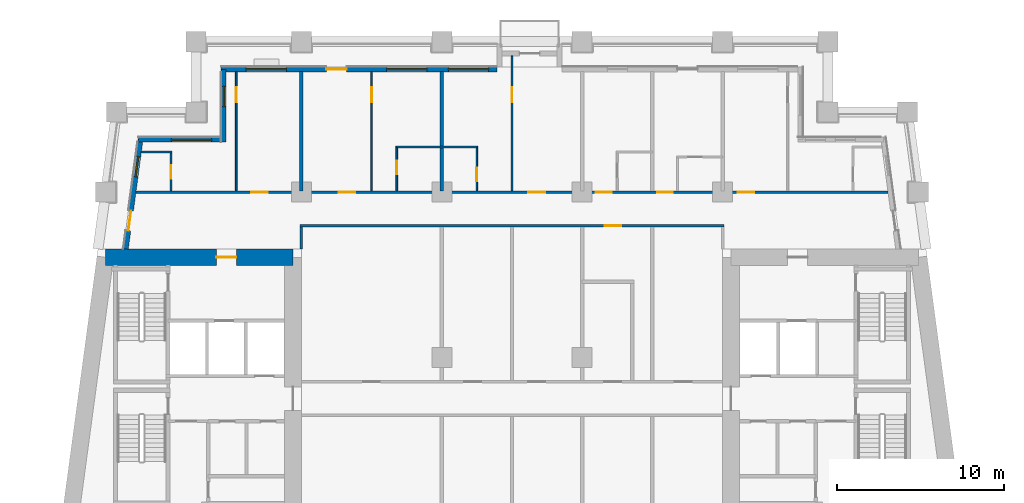
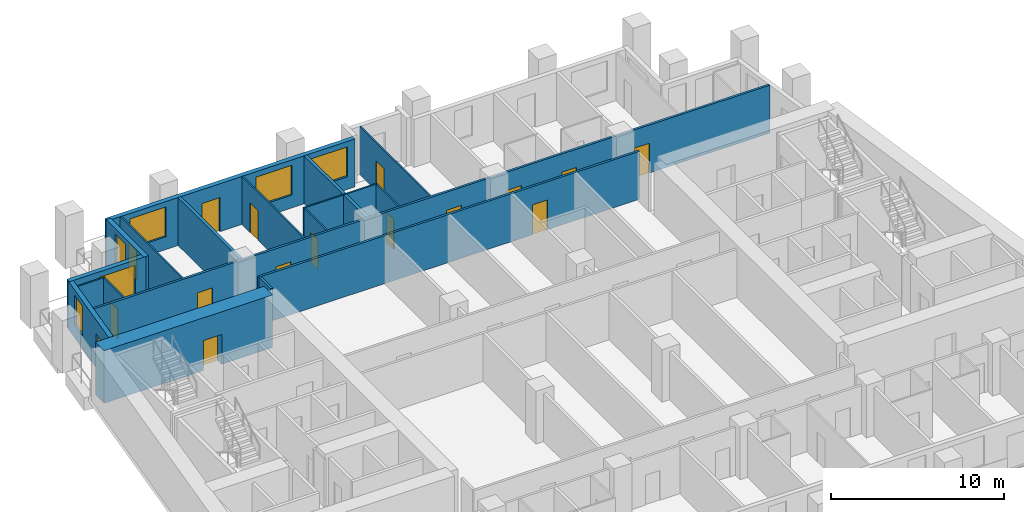
# One storey, part 6 of 13: 18 walls, 16 doors, 6 windows, 22 openings.
"""IFC4 building model written with IfcOpenShell, lengths in metres."""

import ifcopenshell
import ifcopenshell.guid

model = None  # the IFC model being written
_history = None  # IfcOwnerHistory: only IFC2X3 demands one
_inside = {}  # id of a spatial element -> (the spatial element, [elements in it])
_under = {}  # id of a project, library or spatial element -> (it, [spatial elements below it])
_declared = {}  # id of a project -> (the project, [libraries it declares])
_typed = {}  # id of a type object -> (the type object, [elements of that type])
_made_of = {}  # id of a material, layer set ... -> (it, [elements and type objects made of it])


def new_model(schema):
    """Start an empty IFC model of exactly this schema.

    Asked for "IFC4X3", IfcOpenShell would pick the latest addendum, in which some entities
    have other attributes; the version numbers below select the first issue.
    IFC2X3 requires an IfcOwnerHistory on every rooted entity: one is made here for all.
    """
    global model, _history
    if schema == "IFC4X3":
        model = ifcopenshell.file(schema_version=(4, 3, 0, 0))
    else:
        model = ifcopenshell.file(schema=schema)
    _inside.clear()
    _under.clear()
    _declared.clear()
    _typed.clear()
    _made_of.clear()
    _history = None
    if model.schema == "IFC2X3":
        org = make("IfcOrganization", Name="unknown")
        user = make(
            "IfcPersonAndOrganization",
            ThePerson=make("IfcPerson", FamilyName="unknown"),
            TheOrganization=org,
        )
        app = make(
            "IfcApplication",
            ApplicationDeveloper=org,
            Version="unknown",
            ApplicationFullName="unknown",
            ApplicationIdentifier="unknown",
        )
        _history = make(
            "IfcOwnerHistory",
            OwningUser=user,
            OwningApplication=app,
            ChangeAction="ADDED",
            CreationDate=0,
        )
    return model


def make(cls, **values):
    """One entity of the class cls with the attributes given. An attribute that is None is left unset."""
    return model.create_entity(
        cls, **{name: value for name, value in values.items() if value is not None}
    )


def rooted(cls, **values):
    """An entity with a GlobalId (a new one), such as an element, a storey or a relation."""
    return make(cls, GlobalId=ifcopenshell.guid.new(), OwnerHistory=_history, **values)


def si_unit(unit_type, name, prefix=None):
    """IfcSIUnit, for example si_unit("LENGTHUNIT", "METRE", prefix="MILLI")."""
    return make("IfcSIUnit", UnitType=unit_type, Prefix=prefix, Name=name)


def assignment(units):
    """IfcUnitAssignment: the units of a project."""
    return None if units is None else make("IfcUnitAssignment", Units=units)


def point(xyz):
    """IfcCartesianPoint."""
    return None if xyz is None else make("IfcCartesianPoint", Coordinates=xyz)


def direction(xyz):
    """IfcDirection."""
    return None if xyz is None else make("IfcDirection", DirectionRatios=xyz)


def frame(location, z_axis=None, x_axis=None):
    """IfcAxis2Placement3D, a coordinate frame: its origin and axes. An axis left out is left unset."""
    return make(
        "IfcAxis2Placement3D",
        Location=point(location),
        Axis=direction(z_axis),
        RefDirection=direction(x_axis),
    )


def frame_2d(location, x_axis=None):
    """IfcAxis2Placement2D, a coordinate frame in the plane: its origin and x axis."""
    return make(
        "IfcAxis2Placement2D", Location=point(location), RefDirection=direction(x_axis)
    )


def origin():
    """The frame at (0, 0, 0) with its axes left unset."""
    return frame((0.0, 0.0, 0.0))


def place(relative_to, where):
    """IfcLocalPlacement: puts the frame where relative to a parent placement (None: the world)."""
    return make(
        "IfcLocalPlacement", PlacementRelTo=relative_to, RelativePlacement=where
    )


def context(
    kind, dimensions, precision=None, world=None, true_north=None, identifier=None
):
    """IfcGeometricRepresentationContext, for example the 3D "Model" context."""
    return make(
        "IfcGeometricRepresentationContext",
        ContextIdentifier=identifier,
        ContextType=kind,
        CoordinateSpaceDimension=dimensions,
        Precision=precision,
        WorldCoordinateSystem=world,
        TrueNorth=true_north,
    )


def subcontext(parent, identifier, kind, view, scale=None):
    """IfcGeometricRepresentationSubContext, for example "Body" below "Model"."""
    return make(
        "IfcGeometricRepresentationSubContext",
        ContextIdentifier=identifier,
        ContextType=kind,
        ParentContext=parent,
        TargetScale=scale,
        TargetView=view,
    )


def project(units=None, contexts=None):
    """IfcProject with its units and contexts."""
    return rooted(
        "IfcProject",
        Name="project",
        RepresentationContexts=contexts,
        UnitsInContext=assignment(units),
    )


def spatial(cls, under=None, at=None, **own):
    """A site, building, storey or space (cls), placed at a placement, below another one or the project."""
    s = rooted(cls, ObjectPlacement=at, **own)
    if under is not None:
        _under.setdefault(under.id(), (under, []))[1].append(s)
    return s


def profile(cls, at=None, kind="AREA", **sizes):
    """A parametric profile (cls). Its sizes go by their IFC names, for example OverallWidth=200.0."""
    return make(cls, ProfileType=kind, Position=at, **sizes)


def rectangle(**sizes):
    """IfcRectangleProfileDef."""
    return profile("IfcRectangleProfileDef", **sizes)


def extrude(swept, where, along, depth):
    """IfcExtrudedAreaSolid: the profile swept, set in the frame where, extruded along a direction by depth."""
    return make(
        "IfcExtrudedAreaSolid",
        SweptArea=swept,
        Position=where,
        ExtrudedDirection=direction(along),
        Depth=depth,
    )


def shape(context_of_items, identifier, shape_type, items):
    """IfcShapeRepresentation: the items that make up one representation, for example the "Body"."""
    return make(
        "IfcShapeRepresentation",
        ContextOfItems=context_of_items,
        RepresentationIdentifier=identifier,
        RepresentationType=shape_type,
        Items=items,
    )


def material(Name=None, Category=None):
    """IfcMaterial."""
    return make("IfcMaterial", Name=Name, Category=Category)


def layer(
    of_material, thickness, ventilated=None, Name=None, Category=None, Priority=None
):
    """IfcMaterialLayer: one layer of a wall or slab, of a material (None: an air gap)."""
    return make(
        "IfcMaterialLayer",
        Material=of_material,
        LayerThickness=thickness,
        IsVentilated=ventilated,
        Name=Name,
        Category=Category,
        Priority=Priority,
    )


def layer_set(layers, Name=None):
    """IfcMaterialLayerSet."""
    return make("IfcMaterialLayerSet", MaterialLayers=layers, LayerSetName=Name)


def made_of(thing, what):
    """Note that an element or type object is made of a material, layer set ...; save() writes the relation."""
    if what is not None:
        _made_of.setdefault(what.id(), (what, []))[1].append(thing)
    return thing


def type_object(cls, material=None, **own):
    """A type object (cls), such as IfcWallType, which elements share."""
    return made_of(rooted(cls, **own), material)


def element(
    cls,
    number,
    at=None,
    inside=None,
    cuts=None,
    type_object=None,
    material=None,
    context=None,
    identifier="Body",
    shape_type=None,
    held_by="IfcProductDefinitionShape",
    body=None,
    shapes=None,
    **own,
):
    """One element of the class cls, such as IfcWall. Its Tag is "e" and its number.

    at: its placement. inside: the storey or other place that contains it. cuts: it is an
    opening in that element (IfcRelVoidsElement). A single representation is given by context,
    identifier, shape_type and body (its items); several are given by shapes. held_by: the class
    of the entity that holds the representations. save() writes the other relations.
    """
    e = rooted(cls, Tag="e%d" % number, ObjectPlacement=at, **own)
    if body is not None:
        shapes = [shape(context, identifier, shape_type, body)]
    if shapes is not None:
        e.Representation = make(held_by, Representations=shapes)
    if inside is not None:
        _inside.setdefault(inside.id(), (inside, []))[1].append(e)
    if cuts is not None:
        rooted(
            "IfcRelVoidsElement", RelatingBuildingElement=cuts, RelatedOpeningElement=e
        )
    if type_object is not None:
        _typed.setdefault(type_object.id(), (type_object, []))[1].append(e)
    return made_of(e, material)


def fill(opening, filler):
    """IfcRelFillsElement: the door or window that sits in an opening."""
    return rooted(
        "IfcRelFillsElement",
        RelatingOpeningElement=opening,
        RelatedBuildingElement=filler,
    )


def aggregate(whole, parts):
    """IfcRelAggregates: a whole, such as a stair, and the parts it consists of."""
    return rooted("IfcRelAggregates", RelatingObject=whole, RelatedObjects=parts)


def save(model, path):
    """Write the relations noted so far, then the file.

    IfcRelAggregates (storeys below a building ...), IfcRelContainedInSpatialStructure (elements
    in a storey), IfcRelDefinesByType, IfcRelAssociatesMaterial and IfcRelDeclares: one each for
    every whole, place, type object, material and project.
    """
    for whole, parts in _under.values():
        aggregate(whole, parts)
    for where, things in _inside.values():
        rooted(
            "IfcRelContainedInSpatialStructure",
            RelatedElements=things,
            RelatingStructure=where,
        )
    for kind, things in _typed.values():
        rooted("IfcRelDefinesByType", RelatedObjects=things, RelatingType=kind)
    for what, things in _made_of.values():
        rooted("IfcRelAssociatesMaterial", RelatedObjects=things, RelatingMaterial=what)
    for by, libraries in _declared.values():
        rooted("IfcRelDeclares", RelatingContext=by, RelatedDefinitions=libraries)
    model.write(path)


model = new_model("IFC4")

# Units and contexts
model_context = context("Model", 3, precision=1e-05, world=origin(), true_north=direction((0.0, 1.0)))
body_context = subcontext(model_context, "Body", "Model", "MODEL_VIEW")
ifc_project = project(units=[si_unit("LENGTHUNIT", "METRE"), si_unit("AREAUNIT", "SQUARE_METRE"), si_unit("VOLUMEUNIT", "CUBIC_METRE"), si_unit("PLANEANGLEUNIT", "RADIAN"), si_unit("MASSUNIT", "GRAM", prefix="KILO")], contexts=[model_context])

# Site, building, storey
site_placement = place(None, origin())
site = spatial("IfcSite", under=ifc_project, at=site_placement, CompositionType="ELEMENT")
building_placement = place(site_placement, origin())
building = spatial("IfcBuilding", under=site, at=building_placement, Name="Candeia Pilgrim Tower and Theatre", CompositionType="ELEMENT")
storey_placement = place(building_placement, frame((0.0, 0.0, 109.5)))
storey = spatial("IfcBuildingStorey", under=building, at=storey_placement, Name="L25", CompositionType="ELEMENT", Elevation=109.5)

# Wall, opening, door
ifc_material_1 = material(Name="Concrete C70/85", Category="concrete")
ifc_layer_1 = layer(ifc_material_1, 1.0)
ifc_layer_set_1 = layer_set([ifc_layer_1], Name="Core wall 1000 C70/85")
wall_type_1 = type_object("IfcWallType", Name="Core wall 1000 C70/85", PredefinedType="SHEAR", material=ifc_layer_set_1)
wall_1_placement = place(storey_placement, frame((89.06787109375, 131.89990234375, 0.0), z_axis=(0.0, 0.0, 1.0), x_axis=(1.0, 0.0, 0.0)))
wall_1 = element("IfcWall", 1, at=wall_1_placement, inside=storey, type_object=wall_type_1, Name="Core wall W1", PredefinedType="SHEAR", context=body_context, shape_type="SweptSolid", body=[
    extrude(rectangle(XDim=11.232177734375, YDim=1.0, at=frame_2d((5.6162109375, 0.0))), origin(), (0.0, 0.0, 1.0), 3.699951171875),
])
opening_1_placement = place(wall_1_placement, frame((6.6455078125, 0.0, 0.0)))
opening_1 = element("IfcOpeningElement", 2, at=opening_1_placement, cuts=wall_1, Name="Opening L25-D062", PredefinedType="OPENING", context=body_context, shape_type="SweptSolid", body=[
    extrude(rectangle(XDim=1.199951171875, YDim=2.10009765625, at=frame_2d((0.60009765625, 1.050048828125))), frame((0.0, 0.510009765625, 0.0), z_axis=(0.0, -1.0, 0.0), x_axis=(1.0, 0.0, 0.0)), (0.0, 0.0, 1.0), 1.02001953125),
])
ifc_material_2 = material(Name="Steel fire door set", Category="steel")
door_type_1 = type_object("IfcDoorType", Name="D-1200-FD60", OperationType="NOTDEFINED", PredefinedType="DOOR", material=ifc_material_2)
door_1_placement = place(opening_1_placement, origin())
door_1 = element("IfcDoor", 3, at=door_1_placement, inside=storey, type_object=door_type_1, Name="Door L25-D062", OperationType="SINGLE_SWING_LEFT", OverallHeight=2.10009765625, OverallWidth=1.199951171875, PredefinedType="DOOR", context=body_context, shape_type="SweptSolid", body=[
    extrude(rectangle(XDim=1.199951171875, YDim=2.10009765625, at=frame_2d((0.60009765625, 1.050048828125))), frame((0.0, 0.02490234375, 0.0), z_axis=(0.0, -1.0, 0.0), x_axis=(1.0, 0.0, 0.0)), (0.0, 0.0, 1.0), 0.050048828125),
])
fill(opening_1, door_1)

# Wall, openings, door, windows
ifc_material_3 = material(Name="Ceramic block masonry", Category="masonry")
ifc_layer_2 = layer(ifc_material_3, 0.300048828125)
ifc_layer_set_2 = layer_set([ifc_layer_2], Name="EW1 glazing-line wall 300")
wall_type_2 = type_object("IfcWallType", Name="EW1 glazing-line wall 300", PredefinedType="SOLIDWALL", material=ifc_layer_set_2)
wall_2_placement = place(storey_placement, frame((112.5, 143.14990234375, 0.0), z_axis=(0.0, 0.0, 1.0), x_axis=(-1.0, 0.0, 0.0)))
wall_2 = element("IfcWall", 4, at=wall_2_placement, inside=storey, type_object=wall_type_2, Name="External wall L25-6.1", PredefinedType="SOLIDWALL", context=body_context, shape_type="SweptSolid", body=[
    extrude(rectangle(XDim=16.5, YDim=0.300048828125, at=frame_2d((8.25, 0.0))), origin(), (0.0, 0.0, 1.0), 3.3798828125),
])
opening_2_placement = place(wall_2_placement, frame((0.5, 0.0, 0.89990234375)))
opening_2 = element("IfcOpeningElement", 5, at=opening_2_placement, cuts=wall_2, Name="Opening W-A", PredefinedType="OPENING", context=body_context, shape_type="SweptSolid", body=[
    extrude(rectangle(XDim=2.39990234375, YDim=2.10009765625, at=frame_2d((1.199951171875, 1.050048828125))), frame((0.0, 0.16015625, 0.0), z_axis=(0.0, -1.0, 0.0), x_axis=(1.0, 0.0, 0.0)), (0.0, 0.0, 1.0), 0.320068359375),
])
opening_3_placement = place(wall_2_placement, frame((4.199951171875, 0.0, 0.89990234375)))
opening_3 = element("IfcOpeningElement", 6, at=opening_3_placement, cuts=wall_2, Name="Opening W-A", PredefinedType="OPENING", context=body_context, shape_type="SweptSolid", body=[
    extrude(rectangle(XDim=2.39990234375, YDim=2.10009765625, at=frame_2d((1.199951171875, 1.050048828125))), frame((0.0, 0.16015625, 0.0), z_axis=(0.0, -1.0, 0.0), x_axis=(1.0, 0.0, 0.0)), (0.0, 0.0, 1.0), 0.320068359375),
])
opening_4_placement = place(wall_2_placement, frame((9.0, 0.0, 0.0)))
opening_4 = element("IfcOpeningElement", 7, at=opening_4_placement, cuts=wall_2, Name="Opening L25-ED258", PredefinedType="OPENING", context=body_context, shape_type="SweptSolid", body=[
    extrude(rectangle(XDim=1.199951171875, YDim=2.39990234375, at=frame_2d((0.60009765625, 1.199951171875))), frame((0.0, 0.16015625, 0.0), z_axis=(0.0, -1.0, 0.0), x_axis=(1.0, 0.0, 0.0)), (0.0, 0.0, 1.0), 0.320068359375),
])
opening_5_placement = place(wall_2_placement, frame((12.60009765625, 0.0, 0.89990234375)))
opening_5 = element("IfcOpeningElement", 8, at=opening_5_placement, cuts=wall_2, Name="Opening W-A", PredefinedType="OPENING", context=body_context, shape_type="SweptSolid", body=[
    extrude(rectangle(XDim=2.39990234375, YDim=2.10009765625, at=frame_2d((1.199951171875, 1.050048828125))), frame((0.0, 0.16015625, 0.0), z_axis=(0.0, -1.0, 0.0), x_axis=(1.0, 0.0, 0.0)), (0.0, 0.0, 1.0), 0.320068359375),
])
ifc_material_4 = material(Name="Aluminium framed glazed door", Category="aluminium")
door_type_2 = type_object("IfcDoorType", Name="Loggia door 1200x2400", OperationType="DOUBLE_DOOR_SINGLE_SWING", PredefinedType="DOOR", material=ifc_material_4)
door_2_placement = place(opening_4_placement, origin())
door_2 = element("IfcDoor", 9, at=door_2_placement, inside=storey, type_object=door_type_2, Name="Loggia door L25-ED258", OperationType="DOUBLE_DOOR_SINGLE_SWING", OverallHeight=2.39990234375, OverallWidth=1.199951171875, PredefinedType="DOOR", context=body_context, shape_type="SweptSolid", body=[
    extrude(rectangle(XDim=1.199951171875, YDim=2.39990234375, at=frame_2d((0.60009765625, 1.199951171875))), frame((0.0, 0.02490234375, 0.0), z_axis=(0.0, -1.0, 0.0), x_axis=(1.0, 0.0, 0.0)), (0.0, 0.0, 1.0), 0.050048828125),
])
fill(opening_4, door_2)
ifc_material_5 = material(Name="Aluminium framed double glazing", Category="aluminium")
window_type_1 = type_object("IfcWindowType", Name="W-A window 2400x2100", PartitioningType="DOUBLE_PANEL_VERTICAL", PredefinedType="WINDOW", material=ifc_material_5)
window_1_placement = place(opening_2_placement, origin())
window_1 = element("IfcWindow", 10, at=window_1_placement, inside=storey, type_object=window_type_1, Name="Window W-A L25", OverallHeight=2.10009765625, OverallWidth=2.39990234375, PartitioningType="SINGLE_PANEL", PredefinedType="WINDOW", context=body_context, shape_type="SweptSolid", body=[
    extrude(rectangle(XDim=2.39990234375, YDim=2.10009765625, at=frame_2d((1.199951171875, 1.050048828125))), frame((0.0, 0.030029296875, 0.0), z_axis=(0.0, -1.0, 0.0), x_axis=(1.0, 0.0, 0.0)), (0.0, 0.0, 1.0), 0.06005859375),
])
fill(opening_2, window_1)
window_2_placement = place(opening_3_placement, origin())
window_2 = element("IfcWindow", 11, at=window_2_placement, inside=storey, type_object=window_type_1, Name="Window W-A L25", OverallHeight=2.10009765625, OverallWidth=2.39990234375, PartitioningType="SINGLE_PANEL", PredefinedType="WINDOW", context=body_context, shape_type="SweptSolid", body=[
    extrude(rectangle(XDim=2.39990234375, YDim=2.10009765625, at=frame_2d((1.199951171875, 1.050048828125))), frame((0.0, 0.030029296875, 0.0), z_axis=(0.0, -1.0, 0.0), x_axis=(1.0, 0.0, 0.0)), (0.0, 0.0, 1.0), 0.06005859375),
])
fill(opening_3, window_2)
window_3_placement = place(opening_5_placement, origin())
window_3 = element("IfcWindow", 12, at=window_3_placement, inside=storey, type_object=window_type_1, Name="Window W-A L25", OverallHeight=2.10009765625, OverallWidth=2.39990234375, PartitioningType="SINGLE_PANEL", PredefinedType="WINDOW", context=body_context, shape_type="SweptSolid", body=[
    extrude(rectangle(XDim=2.39990234375, YDim=2.10009765625, at=frame_2d((1.199951171875, 1.050048828125))), frame((0.0, 0.030029296875, 0.0), z_axis=(0.0, -1.0, 0.0), x_axis=(1.0, 0.0, 0.0)), (0.0, 0.0, 1.0), 0.06005859375),
])
fill(opening_5, window_3)

# Wall, opening, window
wall_3_placement = place(storey_placement, frame((96.14990234375, 143.14990234375, 0.0), z_axis=(0.0, 0.0, 1.0), x_axis=(0.0, -1.0, 0.0)))
wall_3 = element("IfcWall", 13, at=wall_3_placement, inside=storey, type_object=wall_type_2, Name="External wall L25-7.0", PredefinedType="SOLIDWALL", context=body_context, shape_type="SweptSolid", body=[
    extrude(rectangle(XDim=4.349853515625, YDim=0.300048828125, at=frame_2d((2.1748046875, 0.0))), origin(), (0.0, 0.0, 1.0), 3.3798828125),
])
opening_6_placement = place(wall_3_placement, frame((1.02490234375, 0.0, 0.89990234375)))
opening_6 = element("IfcOpeningElement", 14, at=opening_6_placement, cuts=wall_3, Name="Opening W-B", PredefinedType="OPENING", context=body_context, shape_type="SweptSolid", body=[
    extrude(rectangle(XDim=1.199951171875, YDim=2.10009765625, at=frame_2d((0.60009765625, 1.050048828125))), frame((0.0, 0.16015625, 0.0), z_axis=(0.0, -1.0, 0.0), x_axis=(1.0, 0.0, 0.0)), (0.0, 0.0, 1.0), 0.320068359375),
])
window_type_2 = type_object("IfcWindowType", Name="W-B window 1200x2100", PartitioningType="SINGLE_PANEL", PredefinedType="WINDOW", material=ifc_material_5)
window_4_placement = place(opening_6_placement, origin())
window_4 = element("IfcWindow", 15, at=window_4_placement, inside=storey, type_object=window_type_2, Name="Window W-B L25", OverallHeight=2.10009765625, OverallWidth=1.199951171875, PartitioningType="SINGLE_PANEL", PredefinedType="WINDOW", context=body_context, shape_type="SweptSolid", body=[
    extrude(rectangle(XDim=1.199951171875, YDim=2.10009765625, at=frame_2d((0.60009765625, 1.050048828125))), frame((0.0, 0.030029296875, 0.0), z_axis=(0.0, -1.0, 0.0), x_axis=(1.0, 0.0, 0.0)), (0.0, 0.0, 1.0), 0.06005859375),
])
fill(opening_6, window_4)

wall_4_placement = place(storey_placement, frame((96.14990234375, 138.949951171875, 0.0), z_axis=(0.0, 0.0, 1.0), x_axis=(-1.0, 0.0, 0.0)))
wall_4 = element("IfcWall", 16, at=wall_4_placement, inside=storey, type_object=wall_type_2, Name="External wall L25-8.0", PredefinedType="SOLIDWALL", context=body_context, shape_type="SweptSolid", body=[
    extrude(rectangle(XDim=5.103759765625, YDim=0.300048828125, at=frame_2d((2.5517578125, 0.0))), origin(), (0.0, 0.0, 1.0), 3.3798828125),
])
opening_7_placement = place(wall_4_placement, frame((0.72509765625, 0.0, 0.89990234375)))
opening_7 = element("IfcOpeningElement", 17, at=opening_7_placement, cuts=wall_4, Name="Opening W-A", PredefinedType="OPENING", context=body_context, shape_type="SweptSolid", body=[
    extrude(rectangle(XDim=2.39990234375, YDim=2.10009765625, at=frame_2d((1.199951171875, 1.050048828125))), frame((0.0, 0.16015625, 0.0), z_axis=(0.0, -1.0, 0.0), x_axis=(1.0, 0.0, 0.0)), (0.0, 0.0, 1.0), 0.320068359375),
])
window_5_placement = place(opening_7_placement, origin())
window_5 = element("IfcWindow", 18, at=window_5_placement, inside=storey, type_object=window_type_1, Name="Window W-A L25", OverallHeight=2.10009765625, OverallWidth=2.39990234375, PartitioningType="SINGLE_PANEL", PredefinedType="WINDOW", context=body_context, shape_type="SweptSolid", body=[
    extrude(rectangle(XDim=2.39990234375, YDim=2.10009765625, at=frame_2d((1.199951171875, 1.050048828125))), frame((0.0, 0.030029296875, 0.0), z_axis=(0.0, -1.0, 0.0), x_axis=(1.0, 0.0, 0.0)), (0.0, 0.0, 1.0), 0.06005859375),
])
fill(opening_7, window_5)

# Wall, openings, door, window
wall_5_placement = place(storey_placement, frame((91.177490234375, 138.949951171875, 0.0), z_axis=(0.0, 0.0, 1.0), x_axis=(-0.133426664613, -0.991058689065, 0.0)))
wall_5 = element("IfcWall", 19, at=wall_5_placement, inside=storey, type_object=wall_type_2, Name="External wall L25-9.0", PredefinedType="SOLIDWALL", context=body_context, shape_type="SweptSolid", body=[
    extrude(rectangle(XDim=6.609130859375, YDim=0.300048828125, at=frame_2d((3.3046875, 0.0))), origin(), (0.0, 0.0, 1.0), 3.3798828125),
])
opening_8_placement = place(wall_5_placement, frame((1.039306640625, 0.0, 0.89990234375)))
opening_8 = element("IfcOpeningElement", 20, at=opening_8_placement, cuts=wall_5, Name="Opening W-B", PredefinedType="OPENING", context=body_context, shape_type="SweptSolid", body=[
    extrude(rectangle(XDim=1.199951171875, YDim=2.10009765625, at=frame_2d((0.60009765625, 1.050048828125))), frame((0.0, 0.16015625, 0.0), z_axis=(0.0, -1.0, 0.0), x_axis=(1.0, 0.0, 0.0)), (0.0, 0.0, 1.0), 0.320068359375),
])
opening_9_placement = place(wall_5_placement, frame((4.293701171875, 0.0, 0.0)))
opening_9 = element("IfcOpeningElement", 21, at=opening_9_placement, cuts=wall_5, Name="Opening L25-ED260", PredefinedType="OPENING", context=body_context, shape_type="SweptSolid", body=[
    extrude(rectangle(XDim=1.199951171875, YDim=2.39990234375, at=frame_2d((0.60009765625, 1.199951171875))), frame((0.0, 0.16015625, 0.0), z_axis=(0.0, -1.0, 0.0), x_axis=(1.0, 0.0, 0.0)), (0.0, 0.0, 1.0), 0.320068359375),
])
door_3_placement = place(opening_9_placement, origin())
door_3 = element("IfcDoor", 22, at=door_3_placement, inside=storey, type_object=door_type_2, Name="Loggia door L25-ED260", OperationType="DOUBLE_DOOR_SINGLE_SWING", OverallHeight=2.39990234375, OverallWidth=1.199951171875, PredefinedType="DOOR", context=body_context, shape_type="SweptSolid", body=[
    extrude(rectangle(XDim=1.199951171875, YDim=2.39990234375, at=frame_2d((0.60009765625, 1.199951171875))), frame((0.0, 0.02490234375, 0.0), z_axis=(0.0, -1.0, 0.0), x_axis=(1.0, 0.0, 0.0)), (0.0, 0.0, 1.0), 0.050048828125),
])
fill(opening_9, door_3)
window_6_placement = place(opening_8_placement, origin())
window_6 = element("IfcWindow", 23, at=window_6_placement, inside=storey, type_object=window_type_2, Name="Window W-B L25", OverallHeight=2.10009765625, OverallWidth=1.199951171875, PartitioningType="SINGLE_PANEL", PredefinedType="WINDOW", context=body_context, shape_type="SweptSolid", body=[
    extrude(rectangle(XDim=1.199951171875, YDim=2.10009765625, at=frame_2d((0.60009765625, 1.050048828125))), frame((0.0, 0.030029296875, 0.0), z_axis=(0.0, -1.0, 0.0), x_axis=(1.0, 0.0, 0.0)), (0.0, 0.0, 1.0), 0.06005859375),
])
fill(opening_8, window_6)

# Walls
ifc_material_6 = material(Name="Gypsum board partition on steel studs", Category="steel")
ifc_layer_3 = layer(ifc_material_6, 0.10009765625)
ifc_layer_set_3 = layer_set([ifc_layer_3], Name="PW-100 room partition")
wall_type_3 = type_object("IfcWallType", Name="PW-100 room partition", PredefinedType="PARTITIONING", material=ifc_layer_set_3)
wall_6_placement = place(storey_placement, frame((91.2177734375, 138.199951171875, 0.0), z_axis=(0.0, 0.0, 1.0), x_axis=(1.0, 0.0, 0.0)))
element("IfcWall", 24, at=wall_6_placement, inside=storey, type_object=wall_type_3, Name="Room partition L25-043", PredefinedType="PARTITIONING", context=body_context, shape_type="SweptSolid", body=[
    extrude(rectangle(XDim=1.832275390625, YDim=0.10009765625, at=frame_2d((0.916015625, 0.0))), origin(), (0.0, 0.0, 1.0), 3.3798828125),
])
wall_7_placement = place(storey_placement, frame((106.449951171875, 138.5, 0.0), z_axis=(0.0, 0.0, 1.0), x_axis=(1.0, 0.0, 0.0)))
element("IfcWall", 25, at=wall_7_placement, inside=storey, type_object=wall_type_3, Name="Room partition L25-045", PredefinedType="PARTITIONING", context=body_context, shape_type="SweptSolid", body=[
    extrude(rectangle(XDim=4.900146484375, YDim=0.10009765625, at=frame_2d((2.4501953125, 0.0))), origin(), (0.0, 0.0, 1.0), 3.3798828125),
])

# Wall, opening, door
wall_8_placement = place(storey_placement, frame((93.0, 135.875, 0.0), z_axis=(0.0, 0.0, 1.0), x_axis=(0.0, 1.0, 0.0)))
wall_8 = element("IfcWall", 26, at=wall_8_placement, inside=storey, type_object=wall_type_3, Name="Room partition L25-059", PredefinedType="PARTITIONING", context=body_context, shape_type="SweptSolid", body=[
    extrude(rectangle(XDim=2.27490234375, YDim=0.10009765625, at=frame_2d((1.137451171875, 0.0))), origin(), (0.0, 0.0, 1.0), 3.3798828125),
])
opening_10_placement = place(wall_8_placement, frame((0.72509765625, 0.0, 0.0)))
opening_10 = element("IfcOpeningElement", 27, at=opening_10_placement, cuts=wall_8, Name="Opening L25-D036", PredefinedType="OPENING", context=body_context, shape_type="SweptSolid", body=[
    extrude(rectangle(XDim=0.800048828125, YDim=2.10009765625, at=frame_2d((0.39990234375, 1.050048828125))), frame((0.0, 0.06005859375, 0.0), z_axis=(0.0, -1.0, 0.0), x_axis=(1.0, 0.0, 0.0)), (0.0, 0.0, 1.0), 0.1201171875),
])
ifc_material_7 = material(Name="Timber door leaf", Category="wood")
door_type_3 = type_object("IfcDoorType", Name="D-800", OperationType="NOTDEFINED", PredefinedType="DOOR", material=ifc_material_7)
door_4_placement = place(opening_10_placement, origin())
door_4 = element("IfcDoor", 28, at=door_4_placement, inside=storey, type_object=door_type_3, Name="Door L25-D036", OperationType="SINGLE_SWING_LEFT", OverallHeight=2.10009765625, OverallWidth=0.800048828125, PredefinedType="DOOR", context=body_context, shape_type="SweptSolid", body=[
    extrude(rectangle(XDim=0.800048828125, YDim=2.10009765625, at=frame_2d((0.39990234375, 1.050048828125))), frame((0.0, 0.02490234375, 0.0), z_axis=(0.0, -1.0, 0.0), x_axis=(1.0, 0.0, 0.0)), (0.0, 0.0, 1.0), 0.050048828125),
])
fill(opening_10, door_4)

wall_9_placement = place(storey_placement, frame((96.89990234375, 135.875, 0.0), z_axis=(0.0, 0.0, 1.0), x_axis=(0.0, 1.0, 0.0)))
wall_9 = element("IfcWall", 29, at=wall_9_placement, inside=storey, type_object=wall_type_3, Name="Room partition L25-064", PredefinedType="PARTITIONING", context=body_context, shape_type="SweptSolid", body=[
    extrude(rectangle(XDim=7.135009765625, YDim=0.10009765625, at=frame_2d((3.5673828125, 0.0))), origin(), (0.0, 0.0, 1.0), 3.3798828125),
])
opening_11_placement = place(wall_9_placement, frame((5.2900390625, 0.0, 0.0)))
opening_11 = element("IfcOpeningElement", 30, at=opening_11_placement, cuts=wall_9, Name="Opening L25-D035", PredefinedType="OPENING", context=body_context, shape_type="SweptSolid", body=[
    extrude(rectangle(XDim=0.89990234375, YDim=2.10009765625, at=frame_2d((0.449951171875, 1.050048828125))), frame((0.0, 0.06005859375, 0.0), z_axis=(0.0, -1.0, 0.0), x_axis=(1.0, 0.0, 0.0)), (0.0, 0.0, 1.0), 0.1201171875),
])
door_type_4 = type_object("IfcDoorType", Name="D-900", OperationType="NOTDEFINED", PredefinedType="DOOR", material=ifc_material_7)
door_5_placement = place(opening_11_placement, origin())
door_5 = element("IfcDoor", 31, at=door_5_placement, inside=storey, type_object=door_type_4, Name="Door L25-D035", OperationType="SINGLE_SWING_RIGHT", OverallHeight=2.10009765625, OverallWidth=0.89990234375, PredefinedType="DOOR", context=body_context, shape_type="SweptSolid", body=[
    extrude(rectangle(XDim=0.89990234375, YDim=2.10009765625, at=frame_2d((0.449951171875, 1.050048828125))), frame((0.0, 0.02490234375, 0.0), z_axis=(0.0, -1.0, 0.0), x_axis=(1.0, 0.0, 0.0)), (0.0, 0.0, 1.0), 0.050048828125),
])
fill(opening_11, door_5)

wall_10_placement = place(storey_placement, frame((105.0, 135.875, 0.0), z_axis=(0.0, 0.0, 1.0), x_axis=(0.0, 1.0, 0.0)))
wall_10 = element("IfcWall", 32, at=wall_10_placement, inside=storey, type_object=wall_type_3, Name="Room partition L25-073", PredefinedType="PARTITIONING", context=body_context, shape_type="SweptSolid", body=[
    extrude(rectangle(XDim=7.135009765625, YDim=0.10009765625, at=frame_2d((3.5673828125, 0.0))), origin(), (0.0, 0.0, 1.0), 3.3798828125),
])
opening_12_placement = place(wall_10_placement, frame((5.2900390625, 0.0, 0.0)))
opening_12 = element("IfcOpeningElement", 33, at=opening_12_placement, cuts=wall_10, Name="Opening L25-D038", PredefinedType="OPENING", context=body_context, shape_type="SweptSolid", body=[
    extrude(rectangle(XDim=0.89990234375, YDim=2.10009765625, at=frame_2d((0.449951171875, 1.050048828125))), frame((0.0, 0.06005859375, 0.0), z_axis=(0.0, -1.0, 0.0), x_axis=(1.0, 0.0, 0.0)), (0.0, 0.0, 1.0), 0.1201171875),
])
door_6_placement = place(opening_12_placement, origin())
door_6 = element("IfcDoor", 34, at=door_6_placement, inside=storey, type_object=door_type_4, Name="Door L25-D038", OperationType="SINGLE_SWING_LEFT", OverallHeight=2.10009765625, OverallWidth=0.89990234375, PredefinedType="DOOR", context=body_context, shape_type="SweptSolid", body=[
    extrude(rectangle(XDim=0.89990234375, YDim=2.10009765625, at=frame_2d((0.449951171875, 1.050048828125))), frame((0.0, 0.02490234375, 0.0), z_axis=(0.0, -1.0, 0.0), x_axis=(1.0, 0.0, 0.0)), (0.0, 0.0, 1.0), 0.050048828125),
])
fill(opening_12, door_6)

wall_11_placement = place(storey_placement, frame((106.5, 135.875, 0.0), z_axis=(0.0, 0.0, 1.0), x_axis=(0.0, 1.0, 0.0)))
wall_11 = element("IfcWall", 35, at=wall_11_placement, inside=storey, type_object=wall_type_3, Name="Room partition L25-075", PredefinedType="PARTITIONING", context=body_context, shape_type="SweptSolid", body=[
    extrude(rectangle(XDim=2.574951171875, YDim=0.10009765625, at=frame_2d((1.28759765625, 0.0))), origin(), (0.0, 0.0, 1.0), 3.3798828125),
])
opening_13_placement = place(wall_11_placement, frame((0.9951171875, 0.0, 0.0)))
opening_13 = element("IfcOpeningElement", 36, at=opening_13_placement, cuts=wall_11, Name="Opening L25-D039", PredefinedType="OPENING", context=body_context, shape_type="SweptSolid", body=[
    extrude(rectangle(XDim=0.800048828125, YDim=2.10009765625, at=frame_2d((0.39990234375, 1.050048828125))), frame((0.0, 0.06005859375, 0.0), z_axis=(0.0, -1.0, 0.0), x_axis=(1.0, 0.0, 0.0)), (0.0, 0.0, 1.0), 0.1201171875),
])
door_7_placement = place(opening_13_placement, origin())
door_7 = element("IfcDoor", 37, at=door_7_placement, inside=storey, type_object=door_type_3, Name="Door L25-D039", OperationType="SINGLE_SWING_RIGHT", OverallHeight=2.10009765625, OverallWidth=0.800048828125, PredefinedType="DOOR", context=body_context, shape_type="SweptSolid", body=[
    extrude(rectangle(XDim=0.800048828125, YDim=2.10009765625, at=frame_2d((0.39990234375, 1.050048828125))), frame((0.0, 0.02490234375, 0.0), z_axis=(0.0, -1.0, 0.0), x_axis=(1.0, 0.0, 0.0)), (0.0, 0.0, 1.0), 0.050048828125),
])
fill(opening_13, door_7)

wall_12_placement = place(storey_placement, frame((111.300048828125, 135.875, 0.0), z_axis=(0.0, 0.0, 1.0), x_axis=(0.0, 1.0, 0.0)))
wall_12 = element("IfcWall", 38, at=wall_12_placement, inside=storey, type_object=wall_type_3, Name="Room partition L25-080", PredefinedType="PARTITIONING", context=body_context, shape_type="SweptSolid", body=[
    extrude(rectangle(XDim=2.574951171875, YDim=0.10009765625, at=frame_2d((1.28759765625, 0.0))), origin(), (0.0, 0.0, 1.0), 3.3798828125),
])
opening_14_placement = place(wall_12_placement, frame((0.574951171875, 0.0, 0.0)))
opening_14 = element("IfcOpeningElement", 39, at=opening_14_placement, cuts=wall_12, Name="Opening L25-D042", PredefinedType="OPENING", context=body_context, shape_type="SweptSolid", body=[
    extrude(rectangle(XDim=0.800048828125, YDim=2.10009765625, at=frame_2d((0.39990234375, 1.050048828125))), frame((0.0, 0.06005859375, 0.0), z_axis=(0.0, -1.0, 0.0), x_axis=(1.0, 0.0, 0.0)), (0.0, 0.0, 1.0), 0.1201171875),
])
door_8_placement = place(opening_14_placement, origin())
door_8 = element("IfcDoor", 40, at=door_8_placement, inside=storey, type_object=door_type_3, Name="Door L25-D042", OperationType="SINGLE_SWING_LEFT", OverallHeight=2.10009765625, OverallWidth=0.800048828125, PredefinedType="DOOR", context=body_context, shape_type="SweptSolid", body=[
    extrude(rectangle(XDim=0.800048828125, YDim=2.10009765625, at=frame_2d((0.39990234375, 1.050048828125))), frame((0.0, 0.02490234375, 0.0), z_axis=(0.0, -1.0, 0.0), x_axis=(1.0, 0.0, 0.0)), (0.0, 0.0, 1.0), 0.050048828125),
])
fill(opening_14, door_8)

wall_13_placement = place(storey_placement, frame((113.39990234375, 135.875, 0.0), z_axis=(0.0, 0.0, 1.0), x_axis=(0.0, 1.0, 0.0)))
wall_13 = element("IfcWall", 41, at=wall_13_placement, inside=storey, type_object=wall_type_3, Name="Room partition L25-081", PredefinedType="PARTITIONING", context=body_context, shape_type="SweptSolid", body=[
    extrude(rectangle(XDim=8.0849609375, YDim=0.10009765625, at=frame_2d((4.04248046875, 0.0))), origin(), (0.0, 0.0, 1.0), 3.3798828125),
])
opening_15_placement = place(wall_13_placement, frame((5.2900390625, 0.0, 0.0)))
opening_15 = element("IfcOpeningElement", 42, at=opening_15_placement, cuts=wall_13, Name="Opening L25-D041", PredefinedType="OPENING", context=body_context, shape_type="SweptSolid", body=[
    extrude(rectangle(XDim=0.89990234375, YDim=2.10009765625, at=frame_2d((0.449951171875, 1.050048828125))), frame((0.0, 0.06005859375, 0.0), z_axis=(0.0, -1.0, 0.0), x_axis=(1.0, 0.0, 0.0)), (0.0, 0.0, 1.0), 0.1201171875),
])
door_9_placement = place(opening_15_placement, origin())
door_9 = element("IfcDoor", 43, at=door_9_placement, inside=storey, type_object=door_type_4, Name="Door L25-D041", OperationType="SINGLE_SWING_RIGHT", OverallHeight=2.10009765625, OverallWidth=0.89990234375, PredefinedType="DOOR", context=body_context, shape_type="SweptSolid", body=[
    extrude(rectangle(XDim=0.89990234375, YDim=2.10009765625, at=frame_2d((0.449951171875, 1.050048828125))), frame((0.0, 0.02490234375, 0.0), z_axis=(0.0, -1.0, 0.0), x_axis=(1.0, 0.0, 0.0)), (0.0, 0.0, 1.0), 0.050048828125),
])
fill(opening_15, door_9)

ifc_layer_4 = layer(ifc_material_6, 0.14990234375)
ifc_layer_set_4 = layer_set([ifc_layer_4], Name="PW-150 unit wall")
wall_type_4 = type_object("IfcWallType", Name="PW-150 unit wall", PredefinedType="PARTITIONING", material=ifc_layer_set_4)
wall_14_placement = place(storey_placement, frame((100.72509765625, 133.800048828125, 0.0), z_axis=(0.0, 0.0, 1.0), x_axis=(1.0, 0.0, 0.0)))
wall_14 = element("IfcWall", 44, at=wall_14_placement, inside=storey, type_object=wall_type_4, Name="Unit wall L25-040", PredefinedType="PARTITIONING", context=body_context, shape_type="SweptSolid", body=[
    extrude(rectangle(XDim=25.349853515625, YDim=0.14990234375, at=frame_2d((12.6748046875, 0.0))), origin(), (0.0, 0.0, 1.0), 3.3798828125),
])
opening_16_placement = place(wall_14_placement, frame((18.22509765625, 0.0, 0.0)))
opening_16 = element("IfcOpeningElement", 45, at=opening_16_placement, cuts=wall_14, Name="Opening L25-D050", PredefinedType="OPENING", context=body_context, shape_type="SweptSolid", body=[
    extrude(rectangle(XDim=1.0, YDim=2.10009765625, at=frame_2d((0.5, 1.050048828125))), frame((0.0, 0.0849609375, 0.0), z_axis=(0.0, -1.0, 0.0), x_axis=(1.0, 0.0, 0.0)), (0.0, 0.0, 1.0), 0.169921875),
])
door_type_5 = type_object("IfcDoorType", Name="D-1000-FD30S", OperationType="NOTDEFINED", PredefinedType="DOOR", material=ifc_material_2)
door_10_placement = place(opening_16_placement, origin())
door_10 = element("IfcDoor", 46, at=door_10_placement, inside=storey, type_object=door_type_5, Name="Door L25-D050", OperationType="SINGLE_SWING_LEFT", OverallHeight=2.10009765625, OverallWidth=1.0, PredefinedType="DOOR", context=body_context, shape_type="SweptSolid", body=[
    extrude(rectangle(XDim=1.0, YDim=2.10009765625, at=frame_2d((0.5, 1.050048828125))), frame((0.0, 0.02490234375, 0.0), z_axis=(0.0, -1.0, 0.0), x_axis=(1.0, 0.0, 0.0)), (0.0, 0.0, 1.0), 0.050048828125),
])
fill(opening_16, door_10)

# Wall, openings, doors
wall_15_placement = place(storey_placement, frame((90.89453125, 135.800048828125, 0.0), z_axis=(0.0, 0.0, 1.0), x_axis=(1.0, 0.0, 0.0)))
wall_15 = element("IfcWall", 47, at=wall_15_placement, inside=storey, type_object=wall_type_4, Name="Unit wall L25-041", PredefinedType="PARTITIONING", context=body_context, shape_type="SweptSolid", body=[
    extrude(rectangle(XDim=45.010986328125, YDim=0.14990234375, at=frame_2d((22.50537109375, 0.0))), origin(), (0.0, 0.0, 1.0), 3.3798828125),
])
opening_17_placement = place(wall_15_placement, frame((6.905517578125, 0.0, 0.0)))
opening_17 = element("IfcOpeningElement", 48, at=opening_17_placement, cuts=wall_15, Name="Opening L25-D034", PredefinedType="OPENING", context=body_context, shape_type="SweptSolid", body=[
    extrude(rectangle(XDim=1.0, YDim=2.10009765625, at=frame_2d((0.5, 1.050048828125))), frame((0.0, 0.0849609375, 0.0), z_axis=(0.0, -1.0, 0.0), x_axis=(1.0, 0.0, 0.0)), (0.0, 0.0, 1.0), 0.169921875),
])
opening_18_placement = place(wall_15_placement, frame((12.13037109375, 0.0, 0.0)))
opening_18 = element("IfcOpeningElement", 49, at=opening_18_placement, cuts=wall_15, Name="Opening L25-D037", PredefinedType="OPENING", context=body_context, shape_type="SweptSolid", body=[
    extrude(rectangle(XDim=1.0, YDim=2.10009765625, at=frame_2d((0.5, 1.050048828125))), frame((0.0, 0.0849609375, 0.0), z_axis=(0.0, -1.0, 0.0), x_axis=(1.0, 0.0, 0.0)), (0.0, 0.0, 1.0), 0.169921875),
])
opening_19_placement = place(wall_15_placement, frame((23.48046875, 0.0, 0.0)))
opening_19 = element("IfcOpeningElement", 50, at=opening_19_placement, cuts=wall_15, Name="Opening L25-D040", PredefinedType="OPENING", context=body_context, shape_type="SweptSolid", body=[
    extrude(rectangle(XDim=1.0, YDim=2.10009765625, at=frame_2d((0.5, 1.050048828125))), frame((0.0, 0.0849609375, 0.0), z_axis=(0.0, -1.0, 0.0), x_axis=(1.0, 0.0, 0.0)), (0.0, 0.0, 1.0), 0.169921875),
])
opening_20_placement = place(wall_15_placement, frame((27.515380859375, 0.0, 0.0)))
opening_20 = element("IfcOpeningElement", 51, at=opening_20_placement, cuts=wall_15, Name="Opening L25-D043", PredefinedType="OPENING", context=body_context, shape_type="SweptSolid", body=[
    extrude(rectangle(XDim=0.949951171875, YDim=2.10009765625, at=frame_2d((0.47509765625, 1.050048828125))), frame((0.0, 0.0849609375, 0.0), z_axis=(0.0, -1.0, 0.0), x_axis=(1.0, 0.0, 0.0)), (0.0, 0.0, 1.0), 0.169921875),
])
opening_21_placement = place(wall_15_placement, frame((31.180419921875, 0.0, 0.0)))
opening_21 = element("IfcOpeningElement", 52, at=opening_21_placement, cuts=wall_15, Name="Opening L25-D045", PredefinedType="OPENING", context=body_context, shape_type="SweptSolid", body=[
    extrude(rectangle(XDim=0.949951171875, YDim=2.10009765625, at=frame_2d((0.47509765625, 1.050048828125))), frame((0.0, 0.0849609375, 0.0), z_axis=(0.0, -1.0, 0.0), x_axis=(1.0, 0.0, 0.0)), (0.0, 0.0, 1.0), 0.169921875),
])
opening_22_placement = place(wall_15_placement, frame((36.00537109375, 0.0, 0.0)))
opening_22 = element("IfcOpeningElement", 53, at=opening_22_placement, cuts=wall_15, Name="Opening L25-D047", PredefinedType="OPENING", context=body_context, shape_type="SweptSolid", body=[
    extrude(rectangle(XDim=1.0, YDim=2.10009765625, at=frame_2d((0.5, 1.050048828125))), frame((0.0, 0.0849609375, 0.0), z_axis=(0.0, -1.0, 0.0), x_axis=(1.0, 0.0, 0.0)), (0.0, 0.0, 1.0), 0.169921875),
])
door_11_placement = place(opening_17_placement, origin())
door_11 = element("IfcDoor", 54, at=door_11_placement, inside=storey, type_object=door_type_5, Name="Door L25-D034", OperationType="SINGLE_SWING_LEFT", OverallHeight=2.10009765625, OverallWidth=1.0, PredefinedType="DOOR", context=body_context, shape_type="SweptSolid", body=[
    extrude(rectangle(XDim=1.0, YDim=2.10009765625, at=frame_2d((0.5, 1.050048828125))), frame((0.0, 0.02490234375, 0.0), z_axis=(0.0, -1.0, 0.0), x_axis=(1.0, 0.0, 0.0)), (0.0, 0.0, 1.0), 0.050048828125),
])
fill(opening_17, door_11)
door_12_placement = place(opening_18_placement, origin())
door_12 = element("IfcDoor", 55, at=door_12_placement, inside=storey, type_object=door_type_5, Name="Door L25-D037", OperationType="SINGLE_SWING_RIGHT", OverallHeight=2.10009765625, OverallWidth=1.0, PredefinedType="DOOR", context=body_context, shape_type="SweptSolid", body=[
    extrude(rectangle(XDim=1.0, YDim=2.10009765625, at=frame_2d((0.5, 1.050048828125))), frame((0.0, 0.02490234375, 0.0), z_axis=(0.0, -1.0, 0.0), x_axis=(1.0, 0.0, 0.0)), (0.0, 0.0, 1.0), 0.050048828125),
])
fill(opening_18, door_12)
door_13_placement = place(opening_19_placement, origin())
door_13 = element("IfcDoor", 56, at=door_13_placement, inside=storey, type_object=door_type_5, Name="Door L25-D040", OperationType="SINGLE_SWING_LEFT", OverallHeight=2.10009765625, OverallWidth=1.0, PredefinedType="DOOR", context=body_context, shape_type="SweptSolid", body=[
    extrude(rectangle(XDim=1.0, YDim=2.10009765625, at=frame_2d((0.5, 1.050048828125))), frame((0.0, 0.02490234375, 0.0), z_axis=(0.0, -1.0, 0.0), x_axis=(1.0, 0.0, 0.0)), (0.0, 0.0, 1.0), 0.050048828125),
])
fill(opening_19, door_13)
door_14_placement = place(opening_22_placement, origin())
door_14 = element("IfcDoor", 57, at=door_14_placement, inside=storey, type_object=door_type_5, Name="Door L25-D047", OperationType="SINGLE_SWING_RIGHT", OverallHeight=2.10009765625, OverallWidth=1.0, PredefinedType="DOOR", context=body_context, shape_type="SweptSolid", body=[
    extrude(rectangle(XDim=1.0, YDim=2.10009765625, at=frame_2d((0.5, 1.050048828125))), frame((0.0, 0.02490234375, 0.0), z_axis=(0.0, -1.0, 0.0), x_axis=(1.0, 0.0, 0.0)), (0.0, 0.0, 1.0), 0.050048828125),
])
fill(opening_22, door_14)
door_type_6 = type_object("IfcDoorType", Name="D-950-FD30S", OperationType="NOTDEFINED", PredefinedType="DOOR", material=ifc_material_2)
door_15_placement = place(opening_20_placement, origin())
door_15 = element("IfcDoor", 58, at=door_15_placement, inside=storey, type_object=door_type_6, Name="Door L25-D043", OperationType="SINGLE_SWING_RIGHT", OverallHeight=2.10009765625, OverallWidth=0.949951171875, PredefinedType="DOOR", context=body_context, shape_type="SweptSolid", body=[
    extrude(rectangle(XDim=0.949951171875, YDim=2.10009765625, at=frame_2d((0.47509765625, 1.050048828125))), frame((0.0, 0.02490234375, 0.0), z_axis=(0.0, -1.0, 0.0), x_axis=(1.0, 0.0, 0.0)), (0.0, 0.0, 1.0), 0.050048828125),
])
fill(opening_20, door_15)
door_16_placement = place(opening_21_placement, origin())
door_16 = element("IfcDoor", 59, at=door_16_placement, inside=storey, type_object=door_type_6, Name="Door L25-D045", OperationType="SINGLE_SWING_RIGHT", OverallHeight=2.10009765625, OverallWidth=0.949951171875, PredefinedType="DOOR", context=body_context, shape_type="SweptSolid", body=[
    extrude(rectangle(XDim=0.949951171875, YDim=2.10009765625, at=frame_2d((0.47509765625, 1.050048828125))), frame((0.0, 0.02490234375, 0.0), z_axis=(0.0, -1.0, 0.0), x_axis=(1.0, 0.0, 0.0)), (0.0, 0.0, 1.0), 0.050048828125),
])
fill(opening_21, door_16)

# Walls
wall_16_placement = place(storey_placement, frame((100.800048828125, 132.39990234375, 0.0), z_axis=(0.0, 0.0, 1.0), x_axis=(0.0, 1.0, 0.0)))
element("IfcWall", 60, at=wall_16_placement, inside=storey, type_object=wall_type_4, Name="Unit wall L25-071", PredefinedType="PARTITIONING", context=body_context, shape_type="SweptSolid", body=[
    extrude(rectangle(XDim=1.3251953125, YDim=0.14990234375, at=frame_2d((0.66259765625, 0.0))), origin(), (0.0, 0.0, 1.0), 3.3798828125),
])
ifc_layer_5 = layer(ifc_material_6, 0.199951171875)
ifc_layer_set_5 = layer_set([ifc_layer_5], Name="PW-200 party wall")
wall_type_5 = type_object("IfcWallType", Name="PW-200 party wall", PredefinedType="PARTITIONING", material=ifc_layer_set_5)
for number, where, z_axis, x_axis, name in (
    (61, (100.800048828125, 135.875, 0.0), (0.0, 0.0, 1.0), (0.0, 1.0, 0.0), "Party wall L25-069"),
    (62, (109.199951171875, 135.875, 0.0), (0.0, 0.0, 1.0), (0.0, 1.0, 0.0), "Party wall L25-079"),
):
    element("IfcWall", number, at=place(storey_placement, frame(where, z_axis=z_axis, x_axis=x_axis)), inside=storey, type_object=wall_type_5, Name=name, PredefinedType="PARTITIONING", context=body_context, shape_type="SweptSolid", body=[
        extrude(rectangle(XDim=7.135009765625, YDim=0.199951171875, at=frame_2d((3.5673828125, 0.0))), origin(), (0.0, 0.0, 1.0), 3.3798828125),
    ])

save(model, "model.ifc")
